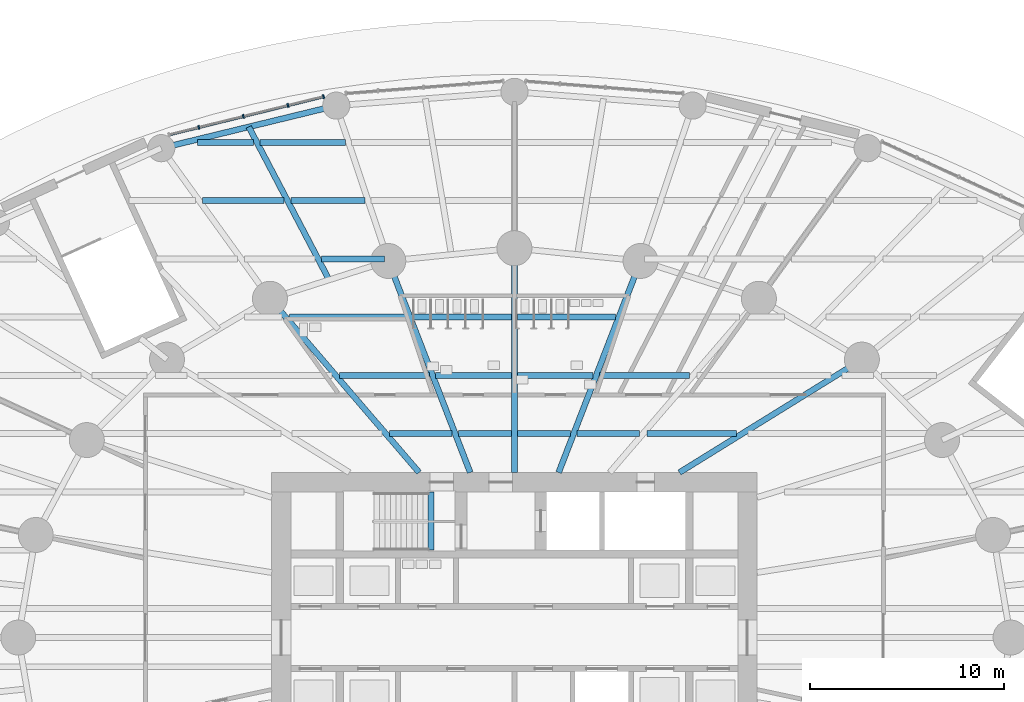
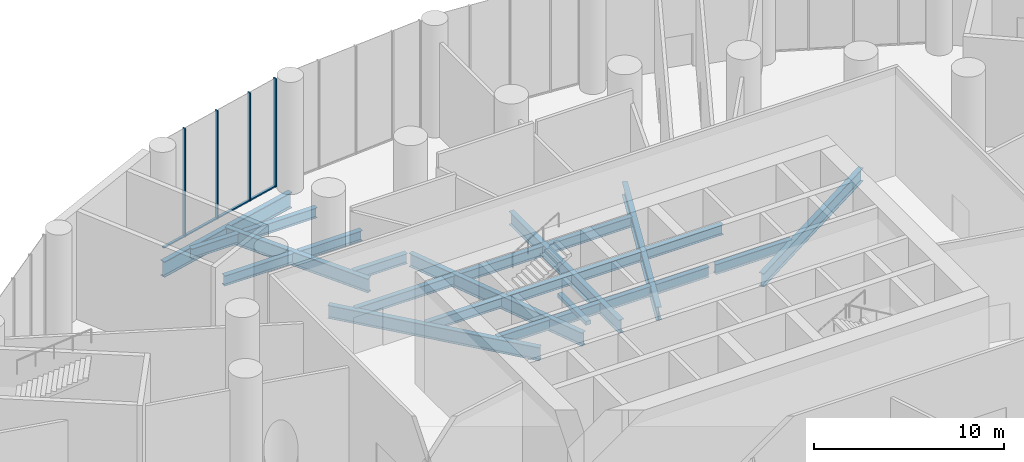
# One storey, part 6 of 22: 25 beams, 8 members, 1 element without a shape of its own.
"""IFC4 building model written with IfcOpenShell, lengths in metres."""

import ifcopenshell
import ifcopenshell.guid

model = None  # the IFC model being written
_history = None  # IfcOwnerHistory: only IFC2X3 demands one
_inside = {}  # id of a spatial element -> (the spatial element, [elements in it])
_under = {}  # id of a project, library or spatial element -> (it, [spatial elements below it])
_declared = {}  # id of a project -> (the project, [libraries it declares])
_typed = {}  # id of a type object -> (the type object, [elements of that type])
_made_of = {}  # id of a material, layer set ... -> (it, [elements and type objects made of it])


def new_model(schema):
    """Start an empty IFC model of exactly this schema.

    Asked for "IFC4X3", IfcOpenShell would pick the latest addendum, in which some entities
    have other attributes; the version numbers below select the first issue.
    IFC2X3 requires an IfcOwnerHistory on every rooted entity: one is made here for all.
    """
    global model, _history
    if schema == "IFC4X3":
        model = ifcopenshell.file(schema_version=(4, 3, 0, 0))
    else:
        model = ifcopenshell.file(schema=schema)
    _inside.clear()
    _under.clear()
    _declared.clear()
    _typed.clear()
    _made_of.clear()
    _history = None
    if model.schema == "IFC2X3":
        org = make("IfcOrganization", Name="unknown")
        user = make(
            "IfcPersonAndOrganization",
            ThePerson=make("IfcPerson", FamilyName="unknown"),
            TheOrganization=org,
        )
        app = make(
            "IfcApplication",
            ApplicationDeveloper=org,
            Version="unknown",
            ApplicationFullName="unknown",
            ApplicationIdentifier="unknown",
        )
        _history = make(
            "IfcOwnerHistory",
            OwningUser=user,
            OwningApplication=app,
            ChangeAction="ADDED",
            CreationDate=0,
        )
    return model


def make(cls, **values):
    """One entity of the class cls with the attributes given. An attribute that is None is left unset."""
    return model.create_entity(
        cls, **{name: value for name, value in values.items() if value is not None}
    )


def rooted(cls, **values):
    """An entity with a GlobalId (a new one), such as an element, a storey or a relation."""
    return make(cls, GlobalId=ifcopenshell.guid.new(), OwnerHistory=_history, **values)


def si_unit(unit_type, name, prefix=None):
    """IfcSIUnit, for example si_unit("LENGTHUNIT", "METRE", prefix="MILLI")."""
    return make("IfcSIUnit", UnitType=unit_type, Prefix=prefix, Name=name)


def assignment(units):
    """IfcUnitAssignment: the units of a project."""
    return None if units is None else make("IfcUnitAssignment", Units=units)


def point(xyz):
    """IfcCartesianPoint."""
    return None if xyz is None else make("IfcCartesianPoint", Coordinates=xyz)


def direction(xyz):
    """IfcDirection."""
    return None if xyz is None else make("IfcDirection", DirectionRatios=xyz)


def frame(location, z_axis=None, x_axis=None):
    """IfcAxis2Placement3D, a coordinate frame: its origin and axes. An axis left out is left unset."""
    return make(
        "IfcAxis2Placement3D",
        Location=point(location),
        Axis=direction(z_axis),
        RefDirection=direction(x_axis),
    )


def frame_2d(location, x_axis=None):
    """IfcAxis2Placement2D, a coordinate frame in the plane: its origin and x axis."""
    return make(
        "IfcAxis2Placement2D", Location=point(location), RefDirection=direction(x_axis)
    )


def origin():
    """The frame at (0, 0, 0) with its axes left unset."""
    return frame((0.0, 0.0, 0.0))


def origin_2d():
    """The frame at (0, 0) in the plane with its x axis left unset."""
    return frame_2d((0.0, 0.0))


def place(relative_to, where):
    """IfcLocalPlacement: puts the frame where relative to a parent placement (None: the world)."""
    return make(
        "IfcLocalPlacement", PlacementRelTo=relative_to, RelativePlacement=where
    )


def context(
    kind, dimensions, precision=None, world=None, true_north=None, identifier=None
):
    """IfcGeometricRepresentationContext, for example the 3D "Model" context."""
    return make(
        "IfcGeometricRepresentationContext",
        ContextIdentifier=identifier,
        ContextType=kind,
        CoordinateSpaceDimension=dimensions,
        Precision=precision,
        WorldCoordinateSystem=world,
        TrueNorth=true_north,
    )


def subcontext(parent, identifier, kind, view, scale=None):
    """IfcGeometricRepresentationSubContext, for example "Body" below "Model"."""
    return make(
        "IfcGeometricRepresentationSubContext",
        ContextIdentifier=identifier,
        ContextType=kind,
        ParentContext=parent,
        TargetScale=scale,
        TargetView=view,
    )


def project(units=None, contexts=None):
    """IfcProject with its units and contexts."""
    return rooted(
        "IfcProject",
        Name="project",
        RepresentationContexts=contexts,
        UnitsInContext=assignment(units),
    )


def spatial(cls, under=None, at=None, **own):
    """A site, building, storey or space (cls), placed at a placement, below another one or the project."""
    s = rooted(cls, ObjectPlacement=at, **own)
    if under is not None:
        _under.setdefault(under.id(), (under, []))[1].append(s)
    return s


def profile(cls, at=None, kind="AREA", **sizes):
    """A parametric profile (cls). Its sizes go by their IFC names, for example OverallWidth=200.0."""
    return make(cls, ProfileType=kind, Position=at, **sizes)


def rectangle(**sizes):
    """IfcRectangleProfileDef."""
    return profile("IfcRectangleProfileDef", **sizes)


def i_section(**sizes):
    """IfcIShapeProfileDef."""
    return profile("IfcIShapeProfileDef", **sizes)


def extrude(swept, where, along, depth):
    """IfcExtrudedAreaSolid: the profile swept, set in the frame where, extruded along a direction by depth."""
    return make(
        "IfcExtrudedAreaSolid",
        SweptArea=swept,
        Position=where,
        ExtrudedDirection=direction(along),
        Depth=depth,
    )


def shape(context_of_items, identifier, shape_type, items):
    """IfcShapeRepresentation: the items that make up one representation, for example the "Body"."""
    return make(
        "IfcShapeRepresentation",
        ContextOfItems=context_of_items,
        RepresentationIdentifier=identifier,
        RepresentationType=shape_type,
        Items=items,
    )


def material(Name=None, Category=None):
    """IfcMaterial."""
    return make("IfcMaterial", Name=Name, Category=Category)


def material_profile(
    of_material, cross_section, Name=None, Category=None, Priority=None
):
    """IfcMaterialProfile: a cross section and its material."""
    return make(
        "IfcMaterialProfile",
        Name=Name,
        Material=of_material,
        Profile=cross_section,
        Priority=Priority,
        Category=Category,
    )


def profile_set(profiles, Name=None, composite=None):
    """IfcMaterialProfileSet."""
    return make(
        "IfcMaterialProfileSet",
        Name=Name,
        MaterialProfiles=profiles,
        CompositeProfile=composite,
    )


def made_of(thing, what):
    """Note that an element or type object is made of a material, layer set ...; save() writes the relation."""
    if what is not None:
        _made_of.setdefault(what.id(), (what, []))[1].append(thing)
    return thing


def type_object(cls, material=None, **own):
    """A type object (cls), such as IfcWallType, which elements share."""
    return made_of(rooted(cls, **own), material)


def element(
    cls,
    number,
    at=None,
    inside=None,
    cuts=None,
    type_object=None,
    material=None,
    context=None,
    identifier="Body",
    shape_type=None,
    held_by="IfcProductDefinitionShape",
    body=None,
    shapes=None,
    **own,
):
    """One element of the class cls, such as IfcWall. Its Tag is "e" and its number.

    at: its placement. inside: the storey or other place that contains it. cuts: it is an
    opening in that element (IfcRelVoidsElement). A single representation is given by context,
    identifier, shape_type and body (its items); several are given by shapes. held_by: the class
    of the entity that holds the representations. save() writes the other relations.
    """
    e = rooted(cls, Tag="e%d" % number, ObjectPlacement=at, **own)
    if body is not None:
        shapes = [shape(context, identifier, shape_type, body)]
    if shapes is not None:
        e.Representation = make(held_by, Representations=shapes)
    if inside is not None:
        _inside.setdefault(inside.id(), (inside, []))[1].append(e)
    if cuts is not None:
        rooted(
            "IfcRelVoidsElement", RelatingBuildingElement=cuts, RelatedOpeningElement=e
        )
    if type_object is not None:
        _typed.setdefault(type_object.id(), (type_object, []))[1].append(e)
    return made_of(e, material)


def aggregate(whole, parts):
    """IfcRelAggregates: a whole, such as a stair, and the parts it consists of."""
    return rooted("IfcRelAggregates", RelatingObject=whole, RelatedObjects=parts)


def save(model, path):
    """Write the relations noted so far, then the file.

    IfcRelAggregates (storeys below a building ...), IfcRelContainedInSpatialStructure (elements
    in a storey), IfcRelDefinesByType, IfcRelAssociatesMaterial and IfcRelDeclares: one each for
    every whole, place, type object, material and project.
    """
    for whole, parts in _under.values():
        aggregate(whole, parts)
    for where, things in _inside.values():
        rooted(
            "IfcRelContainedInSpatialStructure",
            RelatedElements=things,
            RelatingStructure=where,
        )
    for kind, things in _typed.values():
        rooted("IfcRelDefinesByType", RelatedObjects=things, RelatingType=kind)
    for what, things in _made_of.values():
        rooted("IfcRelAssociatesMaterial", RelatedObjects=things, RelatingMaterial=what)
    for by, libraries in _declared.values():
        rooted("IfcRelDeclares", RelatingContext=by, RelatedDefinitions=libraries)
    model.write(path)


model = new_model("IFC4")

# Units and contexts
model_context = context("Model", 3, precision=1e-05, world=origin(), true_north=direction((0.0, 1.0)))
body_context = subcontext(model_context, "Body", "Model", "MODEL_VIEW")
ifc_project = project(units=[si_unit("LENGTHUNIT", "METRE"), si_unit("AREAUNIT", "SQUARE_METRE"), si_unit("VOLUMEUNIT", "CUBIC_METRE"), si_unit("PLANEANGLEUNIT", "RADIAN"), si_unit("MASSUNIT", "GRAM", prefix="KILO")], contexts=[model_context])

# Site, building, storey
site_placement = place(None, origin())
site = spatial("IfcSite", under=ifc_project, at=site_placement, CompositionType="ELEMENT")
building_placement = place(site_placement, origin())
building = spatial("IfcBuilding", under=site, at=building_placement, Name="Hankou Lantern Tower", CompositionType="ELEMENT")
storey_placement = place(building_placement, origin())
storey = spatial("IfcBuildingStorey", under=building, at=storey_placement, Name="L00", CompositionType="ELEMENT", Elevation=0.0)

# Beam
ifc_material_1 = material(Name="Concrete C40", Category="concrete")
ifc_material_profile_1 = material_profile(ifc_material_1, rectangle(XDim=0.300048828125, YDim=0.25, at=origin_2d()), Name="RC 300x250")
ifc_profile_set_1 = profile_set([ifc_material_profile_1], Name="Concrete C40")
beam_type_1 = type_object("IfcBeamType", Name="LB1 STAIR LANDING BEAM RC 300x250", PredefinedType="BEAM", material=ifc_profile_set_1)
beam_1_placement = place(storey_placement, frame((-4.300048828125, 4.5, 3.47509765625), z_axis=(0.0, 1.0, 0.0), x_axis=(-1.0, 0.0, 0.0)))
element("IfcBeam", 1, at=beam_1_placement, inside=storey, type_object=beam_type_1, Name="Stair STA landing beam L00", PredefinedType="BEAM", context=body_context, shape_type="SweptSolid", body=[
    extrude(rectangle(XDim=0.300048828125, YDim=0.25, at=origin_2d()), origin(), (0.0, 0.0, 1.0), 3.0),
])

# Curtain wall, members
ifc_material_2 = material(Name="Glass, dark grey tinted laminated", Category="glass")
curtain_wall_type = type_object("IfcCurtainWallType", Name="CWP PODIUM CURTAIN WALL", PredefinedType="USERDEFINED", material=ifc_material_2)
curtain_wall_placement = place(storey_placement, origin())
curtain_wall = element("IfcCurtainWall", 2, at=curtain_wall_placement, inside=storey, type_object=curtain_wall_type, Name="CWP L00 PC04", ObjectType="PODIUM GLAZING", PredefinedType="USERDEFINED")
ifc_material_3 = material(Name="Aluminium, black anodised", Category="aluminium")
ifc_material_profile_2 = material_profile(ifc_material_3, rectangle(XDim=0.080078125, YDim=0.199951171875, at=origin_2d()), Name="MU2 80X200")
ifc_profile_set_2 = profile_set([ifc_material_profile_2], Name="Aluminium, black anodised")
member_type_1 = type_object("IfcMemberType", Name="MU2 PODIUM MULLION 80X200", PredefinedType="MULLION", material=ifc_profile_set_2)
member_1_placement = place(storey_placement, frame((-9.83056640625, 27.852294921875, 0.0), z_axis=(0.0, 0.0, 1.0), x_axis=(-0.970960955091, -0.239238006364, 0.0)))
member_1 = element("IfcMember", 3, at=member_1_placement, type_object=member_type_1, Name="CWP mullion 1", PredefinedType="MULLION", context=body_context, shape_type="SweptSolid", body=[
    extrude(rectangle(XDim=0.080078125, YDim=0.199951171875, at=origin_2d()), origin(), (0.0, 0.0, 1.0), 6.949951171875),
])
member_2_placement = place(storey_placement, frame((-11.662841796875, 27.40087890625, 0.0), z_axis=(0.0, 0.0, 1.0), x_axis=(-0.970960955091, -0.239238006364, 0.0)))
member_2 = element("IfcMember", 4, at=member_2_placement, type_object=member_type_1, Name="CWP mullion 2", PredefinedType="MULLION", context=body_context, shape_type="SweptSolid", body=[
    extrude(rectangle(XDim=0.080078125, YDim=0.199951171875, at=origin_2d()), origin(), (0.0, 0.0, 1.0), 6.949951171875),
])
member_3_placement = place(storey_placement, frame((-13.95849609375, 26.835205078125, 0.0), z_axis=(0.0, 0.0, 1.0), x_axis=(-0.970960955091, -0.239238006364, 0.0)))
member_3 = element("IfcMember", 5, at=member_3_placement, type_object=member_type_1, Name="CWP mullion 3", PredefinedType="MULLION", context=body_context, shape_type="SweptSolid", body=[
    extrude(rectangle(XDim=0.080078125, YDim=0.199951171875, at=origin_2d()), origin(), (0.0, 0.0, 1.0), 6.949951171875),
])
member_4_placement = place(storey_placement, frame((-16.25439453125, 26.26953125, 0.0), z_axis=(0.0, 0.0, 1.0), x_axis=(-0.970960955091, -0.239238006364, 0.0)))
member_4 = element("IfcMember", 6, at=member_4_placement, type_object=member_type_1, Name="CWP mullion 4", PredefinedType="MULLION", context=body_context, shape_type="SweptSolid", body=[
    extrude(rectangle(XDim=0.080078125, YDim=0.199951171875, at=origin_2d()), origin(), (0.0, 0.0, 1.0), 6.949951171875),
])

# Beams
ifc_material_4 = material(Name="Steel Q355B", Category="steel")
ifc_material_profile_3 = material_profile(ifc_material_4, i_section(OverallWidth=0.300048828125, OverallDepth=1.0, WebThickness=0.01904296875, FlangeThickness=0.035888671875, FilletRadius=0.01806640625, at=origin_2d()), Name="HN1000x300x19x36")
ifc_profile_set_3 = profile_set([ifc_material_profile_3], Name="Steel Q355B")
beam_type_2 = type_object("IfcBeamType", Name="PR22 PODIUM RING BEAM HN1000x300x19x36", PredefinedType="BEAM", material=ifc_profile_set_3)
beam_2_placement = place(storey_placement, frame((-9.17431640625, 27.39111328125, -0.75), z_axis=(-0.971677242441, -0.23631194748, 0.0), x_axis=(0.23631194748, -0.971677242441, 0.0)))
element("IfcBeam", 7, at=beam_2_placement, inside=storey, type_object=beam_type_2, Name="Podium ring beam R08-R09 L00", PredefinedType="BEAM", context=body_context, shape_type="SweptSolid", body=[
    extrude(i_section(OverallWidth=0.300048828125, OverallDepth=1.0, WebThickness=0.01904296875, FlangeThickness=0.035888671875, FilletRadius=0.01806640625, at=origin_2d()), origin(), (0.0, 0.0, 1.0), 9.2744140625),
])
ifc_material_5 = material(Name="Steel Q355B", Category="steel")
ifc_material_profile_4 = material_profile(ifc_material_5, i_section(OverallWidth=0.300048828125, OverallDepth=0.89990234375, WebThickness=0.01611328125, FlangeThickness=0.028076171875, FilletRadius=0.01806640625, at=origin_2d()), Name="HN900x300x16x28")
ifc_profile_set_4 = profile_set([ifc_material_profile_4], Name="Steel Q355B")
beam_type_3 = type_object("IfcBeamType", Name="PS13 PODIUM SECONDARY BEAM HN900x300x16x28", PredefinedType="JOIST", material=ifc_profile_set_4)
beam_3_placement = place(storey_placement, frame((-9.54296875, 18.4189453125, -0.699951171875), z_axis=(-0.465026961303, 0.88529651827, 0.0), x_axis=(-0.88529651827, -0.465026961303, 0.0)))
element("IfcBeam", 8, at=beam_3_placement, inside=storey, type_object=beam_type_3, Name="Podium secondary beam bay R08 L00", PredefinedType="JOIST", context=body_context, shape_type="SweptSolid", body=[
    extrude(i_section(OverallWidth=0.300048828125, OverallDepth=0.89990234375, WebThickness=0.01611328125, FlangeThickness=0.028076171875, FilletRadius=0.01806640625, at=origin_2d()), origin(), (0.0, 0.0, 1.0), 8.896728515625),
])
ifc_material_6 = material(Name="Steel Q355B", Category="steel")
ifc_material_profile_5 = material_profile(ifc_material_6, i_section(OverallWidth=0.300048828125, OverallDepth=0.85009765625, WebThickness=0.01611328125, FlangeThickness=0.027099609375, FilletRadius=0.01806640625, at=origin_2d()), Name="HN850x300x16x27")
ifc_profile_set_5 = profile_set([ifc_material_profile_5], Name="Steel Q355B")
beam_type_4 = type_object("IfcBeamType", Name="RB12 RADIAL BEAM HN850x300x16x27", PredefinedType="BEAM", material=ifc_profile_set_5)
beam_4_placement = place(storey_placement, frame((8.5, 8.5, -0.675048828125), z_axis=(0.850286343288, 0.526320372414, 0.0), x_axis=(-0.526320372414, 0.850286343288, 0.0)))
element("IfcBeam", 9, at=beam_4_placement, inside=storey, type_object=beam_type_4, Name="Radial beam R04 L00", PredefinedType="BEAM", context=body_context, shape_type="SweptSolid", body=[
    extrude(i_section(OverallWidth=0.300048828125, OverallDepth=0.85009765625, WebThickness=0.01611328125, FlangeThickness=0.027099609375, FilletRadius=0.01806640625, at=origin_2d()), origin(), (0.0, 0.0, 1.0), 11.04541015625),
])
beam_5_placement = place(storey_placement, frame((2.277587890625, 8.5, -0.675048828125), z_axis=(0.361089103374, 0.932531318201, 0.0), x_axis=(-0.932531318201, 0.361089103374, 0.0)))
element("IfcBeam", 10, at=beam_5_placement, inside=storey, type_object=beam_type_4, Name="Radial beam R06 L00", PredefinedType="BEAM", context=body_context, shape_type="SweptSolid", body=[
    extrude(i_section(OverallWidth=0.300048828125, OverallDepth=0.85009765625, WebThickness=0.01611328125, FlangeThickness=0.027099609375, FilletRadius=0.01806640625, at=origin_2d()), origin(), (0.0, 0.0, 1.0), 11.679443359375),
])
beam_6_placement = place(storey_placement, frame((0.0, 8.5, -0.675048828125), z_axis=(0.0, 1.0, 0.0), x_axis=(-1.0, 0.0, 0.0)))
element("IfcBeam", 11, at=beam_6_placement, inside=storey, type_object=beam_type_4, Name="Radial beam R07 L00", PredefinedType="BEAM", context=body_context, shape_type="SweptSolid", body=[
    extrude(i_section(OverallWidth=0.300048828125, OverallDepth=0.85009765625, WebThickness=0.01611328125, FlangeThickness=0.027099609375, FilletRadius=0.01806640625, at=origin_2d()), origin(), (0.0, 0.0, 1.0), 11.550048828125),
])
beam_7_placement = place(storey_placement, frame((-2.277587890625, 8.5, -0.675048828125), z_axis=(-0.361089103374, 0.932531318201, 0.0), x_axis=(-0.932531318201, -0.361089103374, 0.0)))
element("IfcBeam", 12, at=beam_7_placement, inside=storey, type_object=beam_type_4, Name="Radial beam R08 L00", PredefinedType="BEAM", context=body_context, shape_type="SweptSolid", body=[
    extrude(i_section(OverallWidth=0.300048828125, OverallDepth=0.85009765625, WebThickness=0.01611328125, FlangeThickness=0.027099609375, FilletRadius=0.01806640625, at=origin_2d()), origin(), (0.0, 0.0, 1.0), 11.679443359375),
])
beam_8_placement = place(storey_placement, frame((-4.907470703125, 8.5, -0.675048828125), z_axis=(-0.651519061225, 0.758632264579, 0.0), x_axis=(-0.758632264579, -0.651519061225, 0.0)))
element("IfcBeam", 13, at=beam_8_placement, inside=storey, type_object=beam_type_4, Name="Radial beam R09 L00", PredefinedType="BEAM", context=body_context, shape_type="SweptSolid", body=[
    extrude(i_section(OverallWidth=0.300048828125, OverallDepth=0.85009765625, WebThickness=0.01611328125, FlangeThickness=0.027099609375, FilletRadius=0.01806640625, at=origin_2d()), origin(), (0.0, 0.0, 1.0), 11.79296875),
])
ifc_material_7 = material(Name="Steel Q355B", Category="steel")
ifc_material_profile_6 = material_profile(ifc_material_7, i_section(OverallWidth=0.300048828125, OverallDepth=0.64990234375, WebThickness=0.010986328125, FlangeThickness=0.01708984375, FilletRadius=0.01806640625, at=origin_2d()), Name="HN650x300x11x17")
ifc_profile_set_6 = profile_set([ifc_material_profile_6], Name="Steel Q355B")
beam_type_5 = type_object("IfcBeamType", Name="SB8 SECONDARY BEAM HN650x300x11x17", PredefinedType="JOIST", material=ifc_profile_set_6)
beam_9_placement = place(storey_placement, frame((-6.427490234375, 10.5, -0.574951171875), z_axis=(1.0, 0.0, 0.0), x_axis=(0.0, 1.0, 0.0)))
element("IfcBeam", 14, at=beam_9_placement, inside=storey, type_object=beam_type_5, Name="Floor joist J107 L00", PredefinedType="JOIST", context=body_context, shape_type="SweptSolid", body=[
    extrude(i_section(OverallWidth=0.300048828125, OverallDepth=0.64990234375, WebThickness=0.010986328125, FlangeThickness=0.01708984375, FilletRadius=0.01806640625, at=origin_2d()), origin(), (0.0, 0.0, 1.0), 3.214599609375),
])
for number, where, z_axis, x_axis, name in (
    (15, (-2.89111328125, 10.5, -0.574951171875), (1.0, 0.0, 0.0), (0.0, 1.0, 0.0), "Floor joist J108 L00"),
    (16, (0.14990234375, 10.5, -0.574951171875), (1.0, 0.0, 0.0), (0.0, 1.0, 0.0), "Floor joist J109 L00"),
):
    element("IfcBeam", number, at=place(storey_placement, frame(where, z_axis=z_axis, x_axis=x_axis)), inside=storey, type_object=beam_type_5, Name=name, PredefinedType="JOIST", context=body_context, shape_type="SweptSolid", body=[
        extrude(i_section(OverallWidth=0.300048828125, OverallDepth=0.64990234375, WebThickness=0.010986328125, FlangeThickness=0.01708984375, FilletRadius=0.01806640625, at=origin_2d()), origin(), (0.0, 0.0, 1.0), 2.7412109375),
    ])
beam_10_placement = place(storey_placement, frame((3.212890625, 10.5, -0.574951171875), z_axis=(1.0, 0.0, 0.0), x_axis=(0.0, 1.0, 0.0)))
element("IfcBeam", 17, at=beam_10_placement, inside=storey, type_object=beam_type_5, Name="Floor joist J110 L00", PredefinedType="JOIST", context=body_context, shape_type="SweptSolid", body=[
    extrude(i_section(OverallWidth=0.300048828125, OverallDepth=0.64990234375, WebThickness=0.010986328125, FlangeThickness=0.01708984375, FilletRadius=0.01806640625, at=origin_2d()), origin(), (0.0, 0.0, 1.0), 3.214599609375),
])
beam_11_placement = place(storey_placement, frame((6.82275390625, 10.5, -0.574951171875), z_axis=(1.0, 0.0, 0.0), x_axis=(0.0, 1.0, 0.0)))
element("IfcBeam", 18, at=beam_11_placement, inside=storey, type_object=beam_type_5, Name="Floor joist J111 L00", PredefinedType="JOIST", context=body_context, shape_type="SweptSolid", body=[
    extrude(i_section(OverallWidth=0.300048828125, OverallDepth=0.64990234375, WebThickness=0.010986328125, FlangeThickness=0.01708984375, FilletRadius=0.01806640625, at=origin_2d()), origin(), (0.0, 0.0, 1.0), 4.623291015625),
])
beam_12_placement = place(storey_placement, frame((-9.00390625, 13.5, -0.574951171875), z_axis=(1.0, 0.0, 0.0), x_axis=(0.0, 1.0, 0.0)))
element("IfcBeam", 19, at=beam_12_placement, inside=storey, type_object=beam_type_5, Name="Floor joist J120 L00", PredefinedType="JOIST", context=body_context, shape_type="SweptSolid", body=[
    extrude(i_section(OverallWidth=0.300048828125, OverallDepth=0.64990234375, WebThickness=0.010986328125, FlangeThickness=0.01708984375, FilletRadius=0.01806640625, at=origin_2d()), origin(), (0.0, 0.0, 1.0), 4.62939453125),
])
for number, where, z_axis, x_axis, name in (
    (20, (-4.052734375, 13.5, -0.574951171875), (1.0, 0.0, 0.0), (0.0, 1.0, 0.0), "Floor joist J121 L00"),
    (21, (0.14990234375, 13.5, -0.574951171875), (1.0, 0.0, 0.0), (0.0, 1.0, 0.0), "Floor joist J122 L00"),
):
    element("IfcBeam", number, at=place(storey_placement, frame(where, z_axis=z_axis, x_axis=x_axis)), inside=storey, type_object=beam_type_5, Name=name, PredefinedType="JOIST", context=body_context, shape_type="SweptSolid", body=[
        extrude(i_section(OverallWidth=0.300048828125, OverallDepth=0.64990234375, WebThickness=0.010986328125, FlangeThickness=0.01708984375, FilletRadius=0.01806640625, at=origin_2d()), origin(), (0.0, 0.0, 1.0), 3.90283203125),
    ])
beam_13_placement = place(storey_placement, frame((4.37451171875, 13.5, -0.574951171875), z_axis=(1.0, 0.0, 0.0), x_axis=(0.0, 1.0, 0.0)))
element("IfcBeam", 22, at=beam_13_placement, inside=storey, type_object=beam_type_5, Name="Floor joist J123 L00", PredefinedType="JOIST", context=body_context, shape_type="SweptSolid", body=[
    extrude(i_section(OverallWidth=0.300048828125, OverallDepth=0.64990234375, WebThickness=0.010986328125, FlangeThickness=0.01708984375, FilletRadius=0.01806640625, at=origin_2d()), origin(), (0.0, 0.0, 1.0), 4.62939453125),
])
beam_14_placement = place(storey_placement, frame((-11.580322265625, 16.5, -0.574951171875), z_axis=(1.0, 0.0, 0.0), x_axis=(0.0, 1.0, 0.0)))
element("IfcBeam", 23, at=beam_14_placement, inside=storey, type_object=beam_type_5, Name="Floor joist J133 L00", PredefinedType="JOIST", context=body_context, shape_type="SweptSolid", body=[
    extrude(i_section(OverallWidth=0.300048828125, OverallDepth=0.64990234375, WebThickness=0.010986328125, FlangeThickness=0.01708984375, FilletRadius=0.01806640625, at=origin_2d()), origin(), (0.0, 0.0, 1.0), 6.044189453125),
])
for number, where, z_axis, x_axis, name in (
    (24, (-5.21435546875, 16.5, -0.574951171875), (1.0, 0.0, 0.0), (0.0, 1.0, 0.0), "Floor joist J134 L00"),
    (25, (0.14990234375, 16.5, -0.574951171875), (1.0, 0.0, 0.0), (0.0, 1.0, 0.0), "Floor joist J135 L00"),
):
    element("IfcBeam", number, at=place(storey_placement, frame(where, z_axis=z_axis, x_axis=x_axis)), inside=storey, type_object=beam_type_5, Name=name, PredefinedType="JOIST", context=body_context, shape_type="SweptSolid", body=[
        extrude(i_section(OverallWidth=0.300048828125, OverallDepth=0.64990234375, WebThickness=0.010986328125, FlangeThickness=0.01708984375, FilletRadius=0.01806640625, at=origin_2d()), origin(), (0.0, 0.0, 1.0), 5.064453125),
    ])
beam_15_placement = place(storey_placement, frame((-9.94140625, 19.5, -0.574951171875), z_axis=(1.0, 0.0, 0.0), x_axis=(0.0, 1.0, 0.0)))
element("IfcBeam", 26, at=beam_15_placement, inside=storey, type_object=beam_type_5, Name="Floor joist J145 L00", PredefinedType="JOIST", context=body_context, shape_type="SweptSolid", body=[
    extrude(i_section(OverallWidth=0.300048828125, OverallDepth=0.64990234375, WebThickness=0.010986328125, FlangeThickness=0.01708984375, FilletRadius=0.01806640625, at=origin_2d()), origin(), (0.0, 0.0, 1.0), 3.251953125),
])
beam_16_placement = place(storey_placement, frame((-16.052978515625, 22.5, -0.574951171875), z_axis=(1.0, 0.0, 0.0), x_axis=(0.0, 1.0, 0.0)))
element("IfcBeam", 27, at=beam_16_placement, inside=storey, type_object=beam_type_5, Name="Floor joist J155 L00", PredefinedType="JOIST", context=body_context, shape_type="SweptSolid", body=[
    extrude(i_section(OverallWidth=0.300048828125, OverallDepth=0.64990234375, WebThickness=0.010986328125, FlangeThickness=0.01708984375, FilletRadius=0.01806640625, at=origin_2d()), origin(), (0.0, 0.0, 1.0), 4.197021484375),
])
beam_17_placement = place(storey_placement, frame((-11.51708984375, 22.5, -0.574951171875), z_axis=(1.0, 0.0, 0.0), x_axis=(0.0, 1.0, 0.0)))
element("IfcBeam", 28, at=beam_17_placement, inside=storey, type_object=beam_type_5, Name="Floor joist J156 L00", PredefinedType="JOIST", context=body_context, shape_type="SweptSolid", body=[
    extrude(i_section(OverallWidth=0.300048828125, OverallDepth=0.64990234375, WebThickness=0.010986328125, FlangeThickness=0.01708984375, FilletRadius=0.01806640625, at=origin_2d()), origin(), (0.0, 0.0, 1.0), 3.82275390625),
])
beam_18_placement = place(storey_placement, frame((-16.3154296875, 25.5, -0.574951171875), z_axis=(1.0, 0.0, 0.0), x_axis=(0.0, 1.0, 0.0)))
element("IfcBeam", 29, at=beam_18_placement, inside=storey, type_object=beam_type_5, Name="Floor joist J165 L00", PredefinedType="JOIST", context=body_context, shape_type="SweptSolid", body=[
    extrude(i_section(OverallWidth=0.300048828125, OverallDepth=0.64990234375, WebThickness=0.010986328125, FlangeThickness=0.01708984375, FilletRadius=0.01806640625, at=origin_2d()), origin(), (0.0, 0.0, 1.0), 2.883544921875),
])
beam_19_placement = place(storey_placement, frame((-13.093017578125, 25.5, -0.574951171875), z_axis=(1.0, 0.0, 0.0), x_axis=(0.0, 1.0, 0.0)))
element("IfcBeam", 30, at=beam_19_placement, inside=storey, type_object=beam_type_5, Name="Floor joist J166 L00", PredefinedType="JOIST", context=body_context, shape_type="SweptSolid", body=[
    extrude(i_section(OverallWidth=0.300048828125, OverallDepth=0.64990234375, WebThickness=0.010986328125, FlangeThickness=0.01708984375, FilletRadius=0.01806640625, at=origin_2d()), origin(), (0.0, 0.0, 1.0), 4.39404296875),
])

# Member
ifc_material_8 = material(Name="Aluminium, black anodised", Category="aluminium")
ifc_material_profile_7 = material_profile(ifc_material_8, rectangle(XDim=0.14990234375, YDim=0.080078125, at=origin_2d()), Name="TR2 150X80")
ifc_profile_set_7 = profile_set([ifc_material_profile_7], Name="Aluminium, black anodised")
member_type_2 = type_object("IfcMemberType", Name="TR2 PODIUM TRANSOM 150X80", PredefinedType="USERDEFINED", material=ifc_profile_set_7)
member_5_placement = place(storey_placement, frame((-9.869384765625, 27.8427734375, 0.0400390625), z_axis=(-0.970955515261, -0.23926008314, 0.0), x_axis=(0.23926008314, -0.970955515261, 0.0)))
member_5 = element("IfcMember", 31, at=member_5_placement, type_object=member_type_2, Name="CWP transom 1", ObjectType="TRANSOM", PredefinedType="USERDEFINED", context=body_context, shape_type="SweptSolid", body=[
    extrude(rectangle(XDim=0.14990234375, YDim=0.080078125, at=origin_2d()), origin(), (0.0, 0.0, 1.0), 1.80712890625),
])

member_6_placement = place(storey_placement, frame((-11.70166015625, 27.391357421875, 0.0400390625), z_axis=(-0.970948059845, -0.239290336378, 0.0), x_axis=(0.239290336378, -0.970948059845, 0.0)))
member_6 = element("IfcMember", 32, at=member_6_placement, type_object=member_type_2, Name="CWP transom 2", ObjectType="TRANSOM", PredefinedType="USERDEFINED", context=body_context, shape_type="SweptSolid", body=[
    extrude(rectangle(XDim=0.14990234375, YDim=0.080078125, at=origin_2d()), origin(), (0.0, 0.0, 1.0), 2.284423828125),
])

member_7_placement = place(storey_placement, frame((-13.99755859375, 26.82568359375, 0.0400390625), z_axis=(-0.970948059845, -0.239290336378, 0.0), x_axis=(0.239290336378, -0.970948059845, 0.0)))
member_7 = element("IfcMember", 33, at=member_7_placement, type_object=member_type_2, Name="CWP transom 3", ObjectType="TRANSOM", PredefinedType="USERDEFINED", context=body_context, shape_type="SweptSolid", body=[
    extrude(rectangle(XDim=0.14990234375, YDim=0.080078125, at=origin_2d()), origin(), (0.0, 0.0, 1.0), 2.284423828125),
])

member_8_placement = place(storey_placement, frame((-16.293212890625, 26.260009765625, 0.0400390625), z_axis=(-0.970971197991, -0.239196431142, 0.0), x_axis=(0.239196431142, -0.970971197991, 0.0)))
member_8 = element("IfcMember", 34, at=member_8_placement, type_object=member_type_2, Name="CWP transom 4", ObjectType="TRANSOM", PredefinedType="USERDEFINED", context=body_context, shape_type="SweptSolid", body=[
    extrude(rectangle(XDim=0.14990234375, YDim=0.080078125, at=origin_2d()), origin(), (0.0, 0.0, 1.0), 1.497314453125),
])

aggregate(curtain_wall, [member_1, member_2, member_3, member_4, member_5, member_6, member_7, member_8])

save(model, "model.ifc")
